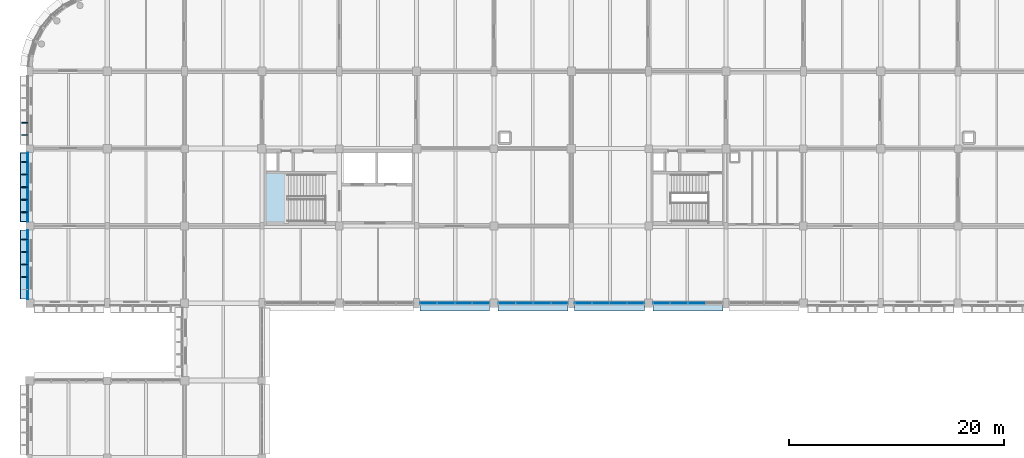
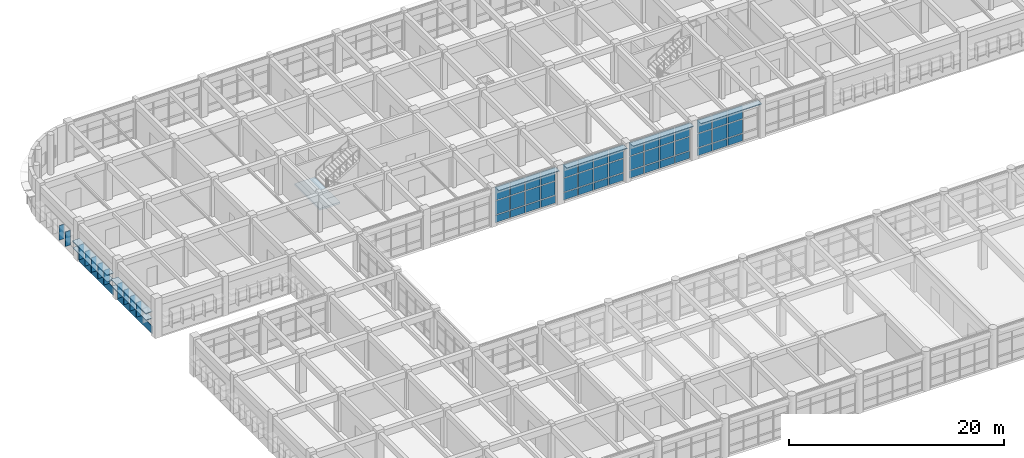
# One storey, part 132 of 171: 66 plates, 1 slab, 5 elements without a shape of their own.
"""IFC4 building model written with IfcOpenShell, lengths in metres."""

from ifc_helpers import new_model, si_unit, direction, frame, origin, origin_2d, place, context, subcontext, project, spatial, polyline, rectangle, outline, extrude, material, layer, layer_set, type_object, element, aggregate, save


model = new_model("IFC4")

# Units and contexts
model_context = context("Model", 3, precision=1e-05, world=origin(), true_north=direction((0.0, 1.0)))
body_context = subcontext(model_context, "Body", "Model", "MODEL_VIEW")
ifc_project = project(units=[si_unit("LENGTHUNIT", "METRE"), si_unit("AREAUNIT", "SQUARE_METRE"), si_unit("VOLUMEUNIT", "CUBIC_METRE"), si_unit("PLANEANGLEUNIT", "RADIAN"), si_unit("MASSUNIT", "GRAM", prefix="KILO")], contexts=[model_context])

# Site, building, storey
site_placement = place(None, origin())
site = spatial("IfcSite", under=ifc_project, at=site_placement, CompositionType="ELEMENT")
building_placement = place(site_placement, origin())
building = spatial("IfcBuilding", under=site, at=building_placement, Name="Thalmaran Polytechnic", CompositionType="ELEMENT")
storey_placement = place(building_placement, frame((0.0, 0.0, 5.39990234375)))
storey = spatial("IfcBuildingStorey", under=building, at=storey_placement, Name="L01", CompositionType="ELEMENT", Elevation=5.39990234375)

# Plates
ifc_material_1 = material(Name="Anodised aluminium spandrel band", Category="aluminium")
ifc_layer_1 = layer(ifc_material_1, 0.054931640625, Name="Anodised aluminium spandrel band")
ifc_layer_set_1 = layer_set([ifc_layer_1], Name="Anodised aluminium spandrel band")
plate_type_1 = type_object("IfcPlateType", Name="PT-BD01", PredefinedType="SHEET", material=ifc_layer_set_1)
plate_1_placement = place(storey_placement, frame((-0.195068359375, 97.20751953125, 0.020263671875), z_axis=(0.0, 0.0, 1.0), x_axis=(0.0, 1.0, 0.0)))
element("IfcPlate", 1, at=plate_1_placement, inside=storey, type_object=plate_type_1, Name="Streamline Horizontal Spandrel Band L01-018", PredefinedType="SHEET", context=body_context, shape_type="SweptSolid", body=[
    extrude(rectangle(XDim=6.425048828125, YDim=0.054931640625, at=origin_2d()), origin(), (0.0, 0.0, 1.0), 0.8798828125),
])
plate_2_placement = place(storey_placement, frame((-0.195068359375, 104.405029296875, 0.020263671875), z_axis=(0.0, 0.0, 1.0), x_axis=(0.0, 1.0, 0.0)))
element("IfcPlate", 2, at=plate_2_placement, inside=storey, type_object=plate_type_1, Name="Streamline Horizontal Spandrel Band L01-019", PredefinedType="SHEET", context=body_context, shape_type="SweptSolid", body=[
    extrude(rectangle(XDim=6.449951171875, YDim=0.054931640625, at=origin_2d()), origin(), (0.0, 0.0, 1.0), 0.8798828125),
])
ifc_material_2 = material(Name="Anodised aluminium sun-hood eyebrow", Category="aluminium")
ifc_layer_2 = layer(ifc_material_2, 0.0849609375, Name="Anodised aluminium sun-hood eyebrow")
ifc_layer_set_2 = layer_set([ifc_layer_2], Name="Anodised aluminium sun-hood eyebrow")
plate_type_2 = type_object("IfcPlateType", Name="PT-EB01", PredefinedType="SHEET", material=ifc_layer_set_2)
plate_3_placement = place(storey_placement, frame((-0.5400390625, 97.20751953125, 2.517578125), z_axis=(0.0, 0.0, 1.0), x_axis=(0.0, 1.0, 0.0)))
element("IfcPlate", 3, at=plate_3_placement, inside=storey, type_object=plate_type_2, Name="Streamline Sun-Hood Eyebrow L01-018", PredefinedType="SHEET", context=body_context, shape_type="SweptSolid", body=[
    extrude(rectangle(XDim=6.425048828125, YDim=0.760009765625, at=origin_2d()), origin(), (0.0, 0.0, 1.0), 0.0849609375),
])
plate_4_placement = place(storey_placement, frame((-0.52001953125, 97.20751953125, 1.74267578125), z_axis=(0.0, 0.0, 1.0), x_axis=(0.0, 1.0, 0.0)))
element("IfcPlate", 4, at=plate_4_placement, inside=storey, type_object=plate_type_2, Name="Abu Dhabi Horizontal Solar Louvre L01-018", PredefinedType="SHEET", context=body_context, shape_type="SweptSolid", body=[
    extrude(rectangle(XDim=6.385009765625, YDim=0.719970703125, at=origin_2d()), origin(), (0.0, 0.0, 1.0), 0.074951171875),
])
plate_5_placement = place(storey_placement, frame((-0.5400390625, 104.405029296875, 2.517578125), z_axis=(0.0, 0.0, 1.0), x_axis=(0.0, 1.0, 0.0)))
element("IfcPlate", 5, at=plate_5_placement, inside=storey, type_object=plate_type_2, Name="Streamline Sun-Hood Eyebrow L01-019", PredefinedType="SHEET", context=body_context, shape_type="SweptSolid", body=[
    extrude(rectangle(XDim=6.449951171875, YDim=0.760009765625, at=origin_2d()), origin(), (0.0, 0.0, 1.0), 0.0849609375),
])
plate_6_placement = place(storey_placement, frame((-0.52001953125, 104.405029296875, 1.74267578125), z_axis=(0.0, 0.0, 1.0), x_axis=(0.0, 1.0, 0.0)))
element("IfcPlate", 6, at=plate_6_placement, inside=storey, type_object=plate_type_2, Name="Abu Dhabi Horizontal Solar Louvre L01-019", PredefinedType="SHEET", context=body_context, shape_type="SweptSolid", body=[
    extrude(rectangle(XDim=6.409912109375, YDim=0.719970703125, at=origin_2d()), origin(), (0.0, 0.0, 1.0), 0.074951171875),
])
for number, where, z_axis, x_axis, name in (
    (7, (61.25, 93.239990234375, 4.107666015625), (0.0, 0.0, 1.0), (-1.0, 0.0, 0.0), "Streamline Sun-Hood Eyebrow L01-CW130"),
    (8, (53.949951171875, 93.239990234375, 4.107666015625), (0.0, 0.0, 1.0), (-1.0, 0.0, 0.0), "Streamline Sun-Hood Eyebrow L01-CW131"),
    (9, (46.85009765625, 93.239990234375, 4.107666015625), (0.0, 0.0, 1.0), (-1.0, 0.0, 0.0), "Streamline Sun-Hood Eyebrow L01-CW132"),
    (10, (39.550048828125, 93.239990234375, 4.107666015625), (0.0, 0.0, 1.0), (-1.0, 0.0, 0.0), "Streamline Sun-Hood Eyebrow L01-CW133"),
):
    element("IfcPlate", number, at=place(storey_placement, frame(where, z_axis=z_axis, x_axis=x_axis)), inside=storey, type_object=plate_type_2, Name=name, PredefinedType="SHEET", context=body_context, shape_type="SweptSolid", body=[
        extrude(rectangle(XDim=6.510009765625, YDim=0.760009765625, at=origin_2d()), origin(), (0.0, 0.0, 1.0), 0.0849609375),
    ])
ifc_material_3 = material(Name="Anodised bronze brise-soleil fin")
ifc_layer_3 = layer(ifc_material_3, 0.06494140625, Name="Anodised bronze brise-soleil fin")
ifc_layer_set_3 = layer_set([ifc_layer_3], Name="Anodised bronze brise-soleil fin")
plate_type_3 = type_object("IfcPlateType", Name="PT-FN01", PredefinedType="SHEET", material=ifc_layer_set_3)
for number, where, z_axis, x_axis, name in (
    (11, (-0.4599609375, 96.043701171875, 0.895263671875), (0.0, 0.0, 1.0), (0.0, 1.0, 0.0), "Abu Dhabi Solar Brise-Soleil Fin L01-018-2"),
    (12, (-0.4599609375, 97.20751953125, 0.895263671875), (0.0, 0.0, 1.0), (0.0, 1.0, 0.0), "Abu Dhabi Solar Brise-Soleil Fin L01-018-3"),
    (13, (-0.4599609375, 98.37109375, 0.895263671875), (0.0, 0.0, 1.0), (0.0, 1.0, 0.0), "Abu Dhabi Solar Brise-Soleil Fin L01-018-4"),
    (14, (-0.4599609375, 99.534912109375, 0.895263671875), (0.0, 0.0, 1.0), (0.0, 1.0, 0.0), "Abu Dhabi Solar Brise-Soleil Fin L01-018-5"),
    (15, (-0.4599609375, 102.068603515625, 0.895263671875), (0.0, 0.0, 1.0), (0.0, 1.0, 0.0), "Abu Dhabi Solar Brise-Soleil Fin L01-019-1"),
    (16, (-0.4599609375, 103.23681640625, 0.895263671875), (0.0, 0.0, 1.0), (0.0, 1.0, 0.0), "Abu Dhabi Solar Brise-Soleil Fin L01-019-2"),
    (17, (-0.4599609375, 104.405029296875, 0.895263671875), (0.0, 0.0, 1.0), (0.0, 1.0, 0.0), "Abu Dhabi Solar Brise-Soleil Fin L01-019-3"),
    (18, (-0.4599609375, 105.5732421875, 0.895263671875), (0.0, 0.0, 1.0), (0.0, 1.0, 0.0), "Abu Dhabi Solar Brise-Soleil Fin L01-019-4"),
    (19, (-0.4599609375, 106.741455078125, 0.895263671875), (0.0, 0.0, 1.0), (0.0, 1.0, 0.0), "Abu Dhabi Solar Brise-Soleil Fin L01-019-5"),
    (20, (-0.4599609375, 109.24951171875, 0.895263671875), (0.0, 0.0, 1.0), (0.0, 1.0, 0.0), "Abu Dhabi Solar Brise-Soleil Fin L01-020-1"),
    (21, (-0.4599609375, 110.406005859375, 0.895263671875), (0.0, 0.0, 1.0), (0.0, 1.0, 0.0), "Abu Dhabi Solar Brise-Soleil Fin L01-020-2"),
):
    element("IfcPlate", number, at=place(storey_placement, frame(where, z_axis=z_axis, x_axis=x_axis)), inside=storey, type_object=plate_type_3, Name=name, PredefinedType="SHEET", context=body_context, shape_type="SweptSolid", body=[
        extrude(rectangle(XDim=0.06494140625, YDim=0.56005859375, at=origin_2d()), origin(), (0.0, 0.0, 1.0), 1.64990234375),
    ])

# Curtain wall, plates
ifc_material_4 = material(Name="Aluminium 6063-T6", Category="aluminium")
curtain_wall_type = type_object("IfcCurtainWallType", Name="CW-UC02", PredefinedType="USERDEFINED", material=ifc_material_4)
curtain_wall_1_placement = place(storey_placement, origin())
curtain_wall_1 = element("IfcCurtainWall", 22, at=curtain_wall_1_placement, inside=storey, type_object=curtain_wall_type, Name="Curtain Wall CW-L01-130", ObjectType="UNITISED CURTAIN WALL", PredefinedType="USERDEFINED")
ifc_material_5 = material(Name="Solar-control double low-E glass", Category="glass")
ifc_layer_4 = layer(ifc_material_5, 0.035888671875, Name="Solar-control double low-E glass")
ifc_layer_set_4 = layer_set([ifc_layer_4], Name="Solar-control double low-E glass")
plate_type_4 = type_object("IfcPlateType", Name="PT-GL01", PredefinedType="CURTAIN_PANEL", material=ifc_layer_set_4)
plate_7_placement = place(storey_placement, frame((62.06884765625, 93.60009765625, 1.000244140625), z_axis=(0.0, 0.0, 1.0), x_axis=(-1.0, 0.0, 0.0)))
plate_7 = element("IfcPlate", 23, at=plate_7_placement, type_object=plate_type_4, Name="CW-L01-130 Vision Panel 2-2", PredefinedType="CURTAIN_PANEL", context=body_context, shape_type="SweptSolid", body=[
    extrude(rectangle(XDim=1.53759765625, YDim=0.035888671875, at=origin_2d()), origin(), (0.0, 0.0, 1.0), 1.544921875),
])
plate_8_placement = place(storey_placement, frame((62.06884765625, 93.60009765625, 2.625), z_axis=(0.0, 0.0, 1.0), x_axis=(-1.0, 0.0, 0.0)))
plate_8 = element("IfcPlate", 24, at=plate_8_placement, type_object=plate_type_4, Name="CW-L01-130 Vision Panel 2-3", PredefinedType="CURTAIN_PANEL", context=body_context, shape_type="SweptSolid", body=[
    extrude(rectangle(XDim=1.53759765625, YDim=0.035888671875, at=origin_2d()), origin(), (0.0, 0.0, 1.0), 1.485107421875),
])
plate_9_placement = place(storey_placement, frame((60.43115234375, 93.60009765625, 1.000244140625), z_axis=(0.0, 0.0, 1.0), x_axis=(-1.0, 0.0, 0.0)))
plate_9 = element("IfcPlate", 25, at=plate_9_placement, type_object=plate_type_4, Name="CW-L01-130 Vision Panel 3-2", PredefinedType="CURTAIN_PANEL", context=body_context, shape_type="SweptSolid", body=[
    extrude(rectangle(XDim=1.53759765625, YDim=0.035888671875, at=origin_2d()), origin(), (0.0, 0.0, 1.0), 1.544921875),
])
plate_10_placement = place(storey_placement, frame((60.43115234375, 93.60009765625, 2.625), z_axis=(0.0, 0.0, 1.0), x_axis=(-1.0, 0.0, 0.0)))
plate_10 = element("IfcPlate", 26, at=plate_10_placement, type_object=plate_type_4, Name="CW-L01-130 Vision Panel 3-3", PredefinedType="CURTAIN_PANEL", context=body_context, shape_type="SweptSolid", body=[
    extrude(rectangle(XDim=1.53759765625, YDim=0.035888671875, at=origin_2d()), origin(), (0.0, 0.0, 1.0), 1.485107421875),
])
plate_11_placement = place(storey_placement, frame((58.793701171875, 93.60009765625, 1.000244140625), z_axis=(0.0, 0.0, 1.0), x_axis=(-1.0, 0.0, 0.0)))
plate_11 = element("IfcPlate", 27, at=plate_11_placement, type_object=plate_type_4, Name="CW-L01-130 Vision Panel 4-2", PredefinedType="CURTAIN_PANEL", context=body_context, shape_type="SweptSolid", body=[
    extrude(rectangle(XDim=1.53759765625, YDim=0.035888671875, at=origin_2d()), origin(), (0.0, 0.0, 1.0), 1.544921875),
])
plate_12_placement = place(storey_placement, frame((58.793701171875, 93.60009765625, 2.625), z_axis=(0.0, 0.0, 1.0), x_axis=(-1.0, 0.0, 0.0)))
plate_12 = element("IfcPlate", 28, at=plate_12_placement, type_object=plate_type_4, Name="CW-L01-130 Vision Panel 4-3", PredefinedType="CURTAIN_PANEL", context=body_context, shape_type="SweptSolid", body=[
    extrude(rectangle(XDim=1.53759765625, YDim=0.035888671875, at=origin_2d()), origin(), (0.0, 0.0, 1.0), 1.485107421875),
])

curtain_wall_2_placement = place(storey_placement, origin())
curtain_wall_2 = element("IfcCurtainWall", 29, at=curtain_wall_2_placement, inside=storey, type_object=curtain_wall_type, Name="Curtain Wall CW-L01-131", ObjectType="UNITISED CURTAIN WALL", PredefinedType="USERDEFINED")
ifc_layer_5 = layer(ifc_material_5, 0.035888671875, Name="Solar-control double low-E glass")
ifc_layer_set_5 = layer_set([ifc_layer_5], Name="Solar-control double low-E glass")
plate_type_5 = type_object("IfcPlateType", Name="PT-GL02", PredefinedType="CURTAIN_PANEL", material=ifc_layer_set_5)
plate_13_placement = place(storey_placement, frame((56.40625, 93.60009765625, 1.000244140625), z_axis=(0.0, 0.0, 1.0), x_axis=(-1.0, 0.0, 0.0)))
plate_13 = element("IfcPlate", 30, at=plate_13_placement, type_object=plate_type_5, Name="CW-L01-131 Vision Panel 1-2", PredefinedType="CURTAIN_PANEL", context=body_context, shape_type="SweptSolid", body=[
    extrude(rectangle(XDim=1.53759765625, YDim=0.035888671875, at=origin_2d()), origin(), (0.0, 0.0, 1.0), 1.544921875),
])
plate_14_placement = place(storey_placement, frame((56.40625, 93.60009765625, 2.625), z_axis=(0.0, 0.0, 1.0), x_axis=(-1.0, 0.0, 0.0)))
plate_14 = element("IfcPlate", 31, at=plate_14_placement, type_object=plate_type_5, Name="CW-L01-131 Vision Panel 1-3", PredefinedType="CURTAIN_PANEL", context=body_context, shape_type="SweptSolid", body=[
    extrude(rectangle(XDim=1.53759765625, YDim=0.035888671875, at=origin_2d()), origin(), (0.0, 0.0, 1.0), 1.485107421875),
])
plate_15_placement = place(storey_placement, frame((54.768798828125, 93.60009765625, 1.000244140625), z_axis=(0.0, 0.0, 1.0), x_axis=(-1.0, 0.0, 0.0)))
plate_15 = element("IfcPlate", 32, at=plate_15_placement, type_object=plate_type_5, Name="CW-L01-131 Vision Panel 2-2", PredefinedType="CURTAIN_PANEL", context=body_context, shape_type="SweptSolid", body=[
    extrude(rectangle(XDim=1.53759765625, YDim=0.035888671875, at=origin_2d()), origin(), (0.0, 0.0, 1.0), 1.544921875),
])
plate_16_placement = place(storey_placement, frame((54.768798828125, 93.60009765625, 2.625), z_axis=(0.0, 0.0, 1.0), x_axis=(-1.0, 0.0, 0.0)))
plate_16 = element("IfcPlate", 33, at=plate_16_placement, type_object=plate_type_5, Name="CW-L01-131 Vision Panel 2-3", PredefinedType="CURTAIN_PANEL", context=body_context, shape_type="SweptSolid", body=[
    extrude(rectangle(XDim=1.53759765625, YDim=0.035888671875, at=origin_2d()), origin(), (0.0, 0.0, 1.0), 1.485107421875),
])
plate_17_placement = place(storey_placement, frame((53.13134765625, 93.60009765625, 1.000244140625), z_axis=(0.0, 0.0, 1.0), x_axis=(-1.0, 0.0, 0.0)))
plate_17 = element("IfcPlate", 34, at=plate_17_placement, type_object=plate_type_5, Name="CW-L01-131 Vision Panel 3-2", PredefinedType="CURTAIN_PANEL", context=body_context, shape_type="SweptSolid", body=[
    extrude(rectangle(XDim=1.53759765625, YDim=0.035888671875, at=origin_2d()), origin(), (0.0, 0.0, 1.0), 1.544921875),
])
plate_18_placement = place(storey_placement, frame((53.13134765625, 93.60009765625, 2.625), z_axis=(0.0, 0.0, 1.0), x_axis=(-1.0, 0.0, 0.0)))
plate_18 = element("IfcPlate", 35, at=plate_18_placement, type_object=plate_type_5, Name="CW-L01-131 Vision Panel 3-3", PredefinedType="CURTAIN_PANEL", context=body_context, shape_type="SweptSolid", body=[
    extrude(rectangle(XDim=1.53759765625, YDim=0.035888671875, at=origin_2d()), origin(), (0.0, 0.0, 1.0), 1.485107421875),
])
plate_19_placement = place(storey_placement, frame((51.49365234375, 93.60009765625, 1.000244140625), z_axis=(0.0, 0.0, 1.0), x_axis=(-1.0, 0.0, 0.0)))
plate_19 = element("IfcPlate", 36, at=plate_19_placement, type_object=plate_type_5, Name="CW-L01-131 Vision Panel 4-2", PredefinedType="CURTAIN_PANEL", context=body_context, shape_type="SweptSolid", body=[
    extrude(rectangle(XDim=1.53759765625, YDim=0.035888671875, at=origin_2d()), origin(), (0.0, 0.0, 1.0), 1.544921875),
])
plate_20_placement = place(storey_placement, frame((51.49365234375, 93.60009765625, 2.625), z_axis=(0.0, 0.0, 1.0), x_axis=(-1.0, 0.0, 0.0)))
plate_20 = element("IfcPlate", 37, at=plate_20_placement, type_object=plate_type_5, Name="CW-L01-131 Vision Panel 4-3", PredefinedType="CURTAIN_PANEL", context=body_context, shape_type="SweptSolid", body=[
    extrude(rectangle(XDim=1.53759765625, YDim=0.035888671875, at=origin_2d()), origin(), (0.0, 0.0, 1.0), 1.485107421875),
])

curtain_wall_3_placement = place(storey_placement, origin())
curtain_wall_3 = element("IfcCurtainWall", 38, at=curtain_wall_3_placement, inside=storey, type_object=curtain_wall_type, Name="Curtain Wall CW-L01-132", ObjectType="UNITISED CURTAIN WALL", PredefinedType="USERDEFINED")
ifc_layer_6 = layer(ifc_material_5, 0.035888671875, Name="Solar-control double low-E glass")
ifc_layer_set_6 = layer_set([ifc_layer_6], Name="Solar-control double low-E glass")
plate_type_6 = type_object("IfcPlateType", Name="PT-GL03", PredefinedType="CURTAIN_PANEL", material=ifc_layer_set_6)
plate_21_placement = place(storey_placement, frame((49.30615234375, 93.60009765625, 1.000244140625), z_axis=(0.0, 0.0, 1.0), x_axis=(-1.0, 0.0, 0.0)))
plate_21 = element("IfcPlate", 39, at=plate_21_placement, type_object=plate_type_6, Name="CW-L01-132 Vision Panel 1-2", PredefinedType="CURTAIN_PANEL", context=body_context, shape_type="SweptSolid", body=[
    extrude(rectangle(XDim=1.53759765625, YDim=0.035888671875, at=origin_2d()), origin(), (0.0, 0.0, 1.0), 1.544921875),
])
plate_22_placement = place(storey_placement, frame((49.30615234375, 93.60009765625, 2.625), z_axis=(0.0, 0.0, 1.0), x_axis=(-1.0, 0.0, 0.0)))
plate_22 = element("IfcPlate", 40, at=plate_22_placement, type_object=plate_type_6, Name="CW-L01-132 Vision Panel 1-3", PredefinedType="CURTAIN_PANEL", context=body_context, shape_type="SweptSolid", body=[
    extrude(rectangle(XDim=1.53759765625, YDim=0.035888671875, at=origin_2d()), origin(), (0.0, 0.0, 1.0), 1.485107421875),
])
plate_23_placement = place(storey_placement, frame((47.668701171875, 93.60009765625, 1.000244140625), z_axis=(0.0, 0.0, 1.0), x_axis=(-1.0, 0.0, 0.0)))
plate_23 = element("IfcPlate", 41, at=plate_23_placement, type_object=plate_type_6, Name="CW-L01-132 Vision Panel 2-2", PredefinedType="CURTAIN_PANEL", context=body_context, shape_type="SweptSolid", body=[
    extrude(rectangle(XDim=1.53759765625, YDim=0.035888671875, at=origin_2d()), origin(), (0.0, 0.0, 1.0), 1.544921875),
])
plate_24_placement = place(storey_placement, frame((47.668701171875, 93.60009765625, 2.625), z_axis=(0.0, 0.0, 1.0), x_axis=(-1.0, 0.0, 0.0)))
plate_24 = element("IfcPlate", 42, at=plate_24_placement, type_object=plate_type_6, Name="CW-L01-132 Vision Panel 2-3", PredefinedType="CURTAIN_PANEL", context=body_context, shape_type="SweptSolid", body=[
    extrude(rectangle(XDim=1.53759765625, YDim=0.035888671875, at=origin_2d()), origin(), (0.0, 0.0, 1.0), 1.485107421875),
])
plate_25_placement = place(storey_placement, frame((46.03125, 93.60009765625, 1.000244140625), z_axis=(0.0, 0.0, 1.0), x_axis=(-1.0, 0.0, 0.0)))
plate_25 = element("IfcPlate", 43, at=plate_25_placement, type_object=plate_type_6, Name="CW-L01-132 Vision Panel 3-2", PredefinedType="CURTAIN_PANEL", context=body_context, shape_type="SweptSolid", body=[
    extrude(rectangle(XDim=1.53759765625, YDim=0.035888671875, at=origin_2d()), origin(), (0.0, 0.0, 1.0), 1.544921875),
])
plate_26_placement = place(storey_placement, frame((46.03125, 93.60009765625, 2.625), z_axis=(0.0, 0.0, 1.0), x_axis=(-1.0, 0.0, 0.0)))
plate_26 = element("IfcPlate", 44, at=plate_26_placement, type_object=plate_type_6, Name="CW-L01-132 Vision Panel 3-3", PredefinedType="CURTAIN_PANEL", context=body_context, shape_type="SweptSolid", body=[
    extrude(rectangle(XDim=1.53759765625, YDim=0.035888671875, at=origin_2d()), origin(), (0.0, 0.0, 1.0), 1.485107421875),
])
plate_27_placement = place(storey_placement, frame((44.393798828125, 93.60009765625, 1.000244140625), z_axis=(0.0, 0.0, 1.0), x_axis=(-1.0, 0.0, 0.0)))
plate_27 = element("IfcPlate", 45, at=plate_27_placement, type_object=plate_type_6, Name="CW-L01-132 Vision Panel 4-2", PredefinedType="CURTAIN_PANEL", context=body_context, shape_type="SweptSolid", body=[
    extrude(rectangle(XDim=1.53759765625, YDim=0.035888671875, at=origin_2d()), origin(), (0.0, 0.0, 1.0), 1.544921875),
])
plate_28_placement = place(storey_placement, frame((44.393798828125, 93.60009765625, 2.625), z_axis=(0.0, 0.0, 1.0), x_axis=(-1.0, 0.0, 0.0)))
plate_28 = element("IfcPlate", 46, at=plate_28_placement, type_object=plate_type_6, Name="CW-L01-132 Vision Panel 4-3", PredefinedType="CURTAIN_PANEL", context=body_context, shape_type="SweptSolid", body=[
    extrude(rectangle(XDim=1.53759765625, YDim=0.035888671875, at=origin_2d()), origin(), (0.0, 0.0, 1.0), 1.485107421875),
])

curtain_wall_4_placement = place(storey_placement, origin())
curtain_wall_4 = element("IfcCurtainWall", 47, at=curtain_wall_4_placement, inside=storey, type_object=curtain_wall_type, Name="Curtain Wall CW-L01-133", ObjectType="UNITISED CURTAIN WALL", PredefinedType="USERDEFINED")
ifc_layer_7 = layer(ifc_material_5, 0.035888671875, Name="Solar-control double low-E glass")
ifc_layer_set_7 = layer_set([ifc_layer_7], Name="Solar-control double low-E glass")
plate_type_7 = type_object("IfcPlateType", Name="PT-GL04", PredefinedType="CURTAIN_PANEL", material=ifc_layer_set_7)
plate_29_placement = place(storey_placement, frame((42.00634765625, 93.60009765625, 1.000244140625), z_axis=(0.0, 0.0, 1.0), x_axis=(-1.0, 0.0, 0.0)))
plate_29 = element("IfcPlate", 48, at=plate_29_placement, type_object=plate_type_7, Name="CW-L01-133 Vision Panel 1-2", PredefinedType="CURTAIN_PANEL", context=body_context, shape_type="SweptSolid", body=[
    extrude(rectangle(XDim=1.53759765625, YDim=0.035888671875, at=origin_2d()), origin(), (0.0, 0.0, 1.0), 1.544921875),
])
plate_30_placement = place(storey_placement, frame((42.00634765625, 93.60009765625, 2.625), z_axis=(0.0, 0.0, 1.0), x_axis=(-1.0, 0.0, 0.0)))
plate_30 = element("IfcPlate", 49, at=plate_30_placement, type_object=plate_type_7, Name="CW-L01-133 Vision Panel 1-3", PredefinedType="CURTAIN_PANEL", context=body_context, shape_type="SweptSolid", body=[
    extrude(rectangle(XDim=1.53759765625, YDim=0.035888671875, at=origin_2d()), origin(), (0.0, 0.0, 1.0), 1.485107421875),
])
plate_31_placement = place(storey_placement, frame((40.36865234375, 93.60009765625, 1.000244140625), z_axis=(0.0, 0.0, 1.0), x_axis=(-1.0, 0.0, 0.0)))
plate_31 = element("IfcPlate", 50, at=plate_31_placement, type_object=plate_type_7, Name="CW-L01-133 Vision Panel 2-2", PredefinedType="CURTAIN_PANEL", context=body_context, shape_type="SweptSolid", body=[
    extrude(rectangle(XDim=1.53759765625, YDim=0.035888671875, at=origin_2d()), origin(), (0.0, 0.0, 1.0), 1.544921875),
])
plate_32_placement = place(storey_placement, frame((40.36865234375, 93.60009765625, 2.625), z_axis=(0.0, 0.0, 1.0), x_axis=(-1.0, 0.0, 0.0)))
plate_32 = element("IfcPlate", 51, at=plate_32_placement, type_object=plate_type_7, Name="CW-L01-133 Vision Panel 2-3", PredefinedType="CURTAIN_PANEL", context=body_context, shape_type="SweptSolid", body=[
    extrude(rectangle(XDim=1.53759765625, YDim=0.035888671875, at=origin_2d()), origin(), (0.0, 0.0, 1.0), 1.485107421875),
])
plate_33_placement = place(storey_placement, frame((38.731201171875, 93.60009765625, 1.000244140625), z_axis=(0.0, 0.0, 1.0), x_axis=(-1.0, 0.0, 0.0)))
plate_33 = element("IfcPlate", 52, at=plate_33_placement, type_object=plate_type_7, Name="CW-L01-133 Vision Panel 3-2", PredefinedType="CURTAIN_PANEL", context=body_context, shape_type="SweptSolid", body=[
    extrude(rectangle(XDim=1.53759765625, YDim=0.035888671875, at=origin_2d()), origin(), (0.0, 0.0, 1.0), 1.544921875),
])
plate_34_placement = place(storey_placement, frame((38.731201171875, 93.60009765625, 2.625), z_axis=(0.0, 0.0, 1.0), x_axis=(-1.0, 0.0, 0.0)))
plate_34 = element("IfcPlate", 53, at=plate_34_placement, type_object=plate_type_7, Name="CW-L01-133 Vision Panel 3-3", PredefinedType="CURTAIN_PANEL", context=body_context, shape_type="SweptSolid", body=[
    extrude(rectangle(XDim=1.53759765625, YDim=0.035888671875, at=origin_2d()), origin(), (0.0, 0.0, 1.0), 1.485107421875),
])
plate_35_placement = place(storey_placement, frame((37.09375, 93.60009765625, 1.000244140625), z_axis=(0.0, 0.0, 1.0), x_axis=(-1.0, 0.0, 0.0)))
plate_35 = element("IfcPlate", 54, at=plate_35_placement, type_object=plate_type_7, Name="CW-L01-133 Vision Panel 4-2", PredefinedType="CURTAIN_PANEL", context=body_context, shape_type="SweptSolid", body=[
    extrude(rectangle(XDim=1.53759765625, YDim=0.035888671875, at=origin_2d()), origin(), (0.0, 0.0, 1.0), 1.544921875),
])
plate_36_placement = place(storey_placement, frame((37.09375, 93.60009765625, 2.625), z_axis=(0.0, 0.0, 1.0), x_axis=(-1.0, 0.0, 0.0)))
plate_36 = element("IfcPlate", 55, at=plate_36_placement, type_object=plate_type_7, Name="CW-L01-133 Vision Panel 4-3", PredefinedType="CURTAIN_PANEL", context=body_context, shape_type="SweptSolid", body=[
    extrude(rectangle(XDim=1.53759765625, YDim=0.035888671875, at=origin_2d()), origin(), (0.0, 0.0, 1.0), 1.485107421875),
])

# Plate
ifc_material_6 = material(Name="Insulated anodised aluminium spandrel", Category="aluminium")
ifc_layer_8 = layer(ifc_material_6, 0.06005859375, Name="Insulated anodised aluminium spandrel")
ifc_layer_set_8 = layer_set([ifc_layer_8], Name="Insulated anodised aluminium spandrel")
plate_type_8 = type_object("IfcPlateType", Name="PT-SP01", PredefinedType="CURTAIN_PANEL", material=ifc_layer_set_8)
plate_37_placement = place(storey_placement, frame((49.30615234375, 93.60009765625, 0.10009765625), z_axis=(0.0, 0.0, 1.0), x_axis=(-1.0, 0.0, 0.0)))
plate_37 = element("IfcPlate", 56, at=plate_37_placement, type_object=plate_type_8, Name="CW-L01-132 Spandrel Panel 1-1", PredefinedType="CURTAIN_PANEL", context=body_context, shape_type="SweptSolid", body=[
    extrude(rectangle(XDim=1.53759765625, YDim=0.06005859375, at=origin_2d()), origin(), (0.0, 0.0, 1.0), 0.820068359375),
])

plate_38_placement = place(storey_placement, frame((47.668701171875, 93.60009765625, 0.10009765625), z_axis=(0.0, 0.0, 1.0), x_axis=(-1.0, 0.0, 0.0)))
plate_38 = element("IfcPlate", 57, at=plate_38_placement, type_object=plate_type_8, Name="CW-L01-132 Spandrel Panel 2-1", PredefinedType="CURTAIN_PANEL", context=body_context, shape_type="SweptSolid", body=[
    extrude(rectangle(XDim=1.53759765625, YDim=0.06005859375, at=origin_2d()), origin(), (0.0, 0.0, 1.0), 0.820068359375),
])

plate_39_placement = place(storey_placement, frame((46.03125, 93.60009765625, 0.10009765625), z_axis=(0.0, 0.0, 1.0), x_axis=(-1.0, 0.0, 0.0)))
plate_39 = element("IfcPlate", 58, at=plate_39_placement, type_object=plate_type_8, Name="CW-L01-132 Spandrel Panel 3-1", PredefinedType="CURTAIN_PANEL", context=body_context, shape_type="SweptSolid", body=[
    extrude(rectangle(XDim=1.53759765625, YDim=0.06005859375, at=origin_2d()), origin(), (0.0, 0.0, 1.0), 0.820068359375),
])

plate_40_placement = place(storey_placement, frame((44.393798828125, 93.60009765625, 0.10009765625), z_axis=(0.0, 0.0, 1.0), x_axis=(-1.0, 0.0, 0.0)))
plate_40 = element("IfcPlate", 59, at=plate_40_placement, type_object=plate_type_8, Name="CW-L01-132 Spandrel Panel 4-1", PredefinedType="CURTAIN_PANEL", context=body_context, shape_type="SweptSolid", body=[
    extrude(rectangle(XDim=1.53759765625, YDim=0.06005859375, at=origin_2d()), origin(), (0.0, 0.0, 1.0), 0.820068359375),
])

aggregate(curtain_wall_3, [plate_37, plate_21, plate_22, plate_38, plate_23, plate_24, plate_39, plate_25, plate_26, plate_40, plate_27, plate_28])

ifc_layer_9 = layer(ifc_material_6, 0.06005859375, Name="Insulated anodised aluminium spandrel")
ifc_layer_set_9 = layer_set([ifc_layer_9], Name="Insulated anodised aluminium spandrel")
plate_type_9 = type_object("IfcPlateType", Name="PT-SP02", PredefinedType="CURTAIN_PANEL", material=ifc_layer_set_9)
plate_41_placement = place(storey_placement, frame((62.06884765625, 93.60009765625, 0.10009765625), z_axis=(0.0, 0.0, 1.0), x_axis=(-1.0, 0.0, 0.0)))
plate_41 = element("IfcPlate", 60, at=plate_41_placement, type_object=plate_type_9, Name="CW-L01-130 Spandrel Panel 2-1", PredefinedType="CURTAIN_PANEL", context=body_context, shape_type="SweptSolid", body=[
    extrude(rectangle(XDim=1.53759765625, YDim=0.06005859375, at=origin_2d()), origin(), (0.0, 0.0, 1.0), 0.820068359375),
])

plate_42_placement = place(storey_placement, frame((60.43115234375, 93.60009765625, 0.10009765625), z_axis=(0.0, 0.0, 1.0), x_axis=(-1.0, 0.0, 0.0)))
plate_42 = element("IfcPlate", 61, at=plate_42_placement, type_object=plate_type_9, Name="CW-L01-130 Spandrel Panel 3-1", PredefinedType="CURTAIN_PANEL", context=body_context, shape_type="SweptSolid", body=[
    extrude(rectangle(XDim=1.53759765625, YDim=0.06005859375, at=origin_2d()), origin(), (0.0, 0.0, 1.0), 0.820068359375),
])

plate_43_placement = place(storey_placement, frame((58.793701171875, 93.60009765625, 0.10009765625), z_axis=(0.0, 0.0, 1.0), x_axis=(-1.0, 0.0, 0.0)))
plate_43 = element("IfcPlate", 62, at=plate_43_placement, type_object=plate_type_9, Name="CW-L01-130 Spandrel Panel 4-1", PredefinedType="CURTAIN_PANEL", context=body_context, shape_type="SweptSolid", body=[
    extrude(rectangle(XDim=1.53759765625, YDim=0.06005859375, at=origin_2d()), origin(), (0.0, 0.0, 1.0), 0.820068359375),
])

aggregate(curtain_wall_1, [plate_41, plate_7, plate_8, plate_42, plate_9, plate_10, plate_43, plate_11, plate_12])

plate_44_placement = place(storey_placement, frame((42.00634765625, 93.60009765625, 0.10009765625), z_axis=(0.0, 0.0, 1.0), x_axis=(-1.0, 0.0, 0.0)))
plate_44 = element("IfcPlate", 63, at=plate_44_placement, type_object=plate_type_9, Name="CW-L01-133 Spandrel Panel 1-1", PredefinedType="CURTAIN_PANEL", context=body_context, shape_type="SweptSolid", body=[
    extrude(rectangle(XDim=1.53759765625, YDim=0.06005859375, at=origin_2d()), origin(), (0.0, 0.0, 1.0), 0.820068359375),
])

plate_45_placement = place(storey_placement, frame((40.36865234375, 93.60009765625, 0.10009765625), z_axis=(0.0, 0.0, 1.0), x_axis=(-1.0, 0.0, 0.0)))
plate_45 = element("IfcPlate", 64, at=plate_45_placement, type_object=plate_type_9, Name="CW-L01-133 Spandrel Panel 2-1", PredefinedType="CURTAIN_PANEL", context=body_context, shape_type="SweptSolid", body=[
    extrude(rectangle(XDim=1.53759765625, YDim=0.06005859375, at=origin_2d()), origin(), (0.0, 0.0, 1.0), 0.820068359375),
])

plate_46_placement = place(storey_placement, frame((38.731201171875, 93.60009765625, 0.10009765625), z_axis=(0.0, 0.0, 1.0), x_axis=(-1.0, 0.0, 0.0)))
plate_46 = element("IfcPlate", 65, at=plate_46_placement, type_object=plate_type_9, Name="CW-L01-133 Spandrel Panel 3-1", PredefinedType="CURTAIN_PANEL", context=body_context, shape_type="SweptSolid", body=[
    extrude(rectangle(XDim=1.53759765625, YDim=0.06005859375, at=origin_2d()), origin(), (0.0, 0.0, 1.0), 0.820068359375),
])

plate_47_placement = place(storey_placement, frame((37.09375, 93.60009765625, 0.10009765625), z_axis=(0.0, 0.0, 1.0), x_axis=(-1.0, 0.0, 0.0)))
plate_47 = element("IfcPlate", 66, at=plate_47_placement, type_object=plate_type_9, Name="CW-L01-133 Spandrel Panel 4-1", PredefinedType="CURTAIN_PANEL", context=body_context, shape_type="SweptSolid", body=[
    extrude(rectangle(XDim=1.53759765625, YDim=0.06005859375, at=origin_2d()), origin(), (0.0, 0.0, 1.0), 0.820068359375),
])

aggregate(curtain_wall_4, [plate_44, plate_29, plate_30, plate_45, plate_31, plate_32, plate_46, plate_33, plate_34, plate_47, plate_35, plate_36])

ifc_layer_10 = layer(ifc_material_6, 0.06005859375, Name="Insulated anodised aluminium spandrel")
ifc_layer_set_10 = layer_set([ifc_layer_10], Name="Insulated anodised aluminium spandrel")
plate_type_10 = type_object("IfcPlateType", Name="PT-SP03", PredefinedType="CURTAIN_PANEL", material=ifc_layer_set_10)
plate_48_placement = place(storey_placement, frame((56.40625, 93.60009765625, 0.10009765625), z_axis=(0.0, 0.0, 1.0), x_axis=(-1.0, 0.0, 0.0)))
plate_48 = element("IfcPlate", 67, at=plate_48_placement, type_object=plate_type_10, Name="CW-L01-131 Spandrel Panel 1-1", PredefinedType="CURTAIN_PANEL", context=body_context, shape_type="SweptSolid", body=[
    extrude(rectangle(XDim=1.53759765625, YDim=0.06005859375, at=origin_2d()), origin(), (0.0, 0.0, 1.0), 0.820068359375),
])

plate_49_placement = place(storey_placement, frame((54.768798828125, 93.60009765625, 0.10009765625), z_axis=(0.0, 0.0, 1.0), x_axis=(-1.0, 0.0, 0.0)))
plate_49 = element("IfcPlate", 68, at=plate_49_placement, type_object=plate_type_10, Name="CW-L01-131 Spandrel Panel 2-1", PredefinedType="CURTAIN_PANEL", context=body_context, shape_type="SweptSolid", body=[
    extrude(rectangle(XDim=1.53759765625, YDim=0.06005859375, at=origin_2d()), origin(), (0.0, 0.0, 1.0), 0.820068359375),
])

plate_50_placement = place(storey_placement, frame((53.13134765625, 93.60009765625, 0.10009765625), z_axis=(0.0, 0.0, 1.0), x_axis=(-1.0, 0.0, 0.0)))
plate_50 = element("IfcPlate", 69, at=plate_50_placement, type_object=plate_type_10, Name="CW-L01-131 Spandrel Panel 3-1", PredefinedType="CURTAIN_PANEL", context=body_context, shape_type="SweptSolid", body=[
    extrude(rectangle(XDim=1.53759765625, YDim=0.06005859375, at=origin_2d()), origin(), (0.0, 0.0, 1.0), 0.820068359375),
])

plate_51_placement = place(storey_placement, frame((51.49365234375, 93.60009765625, 0.10009765625), z_axis=(0.0, 0.0, 1.0), x_axis=(-1.0, 0.0, 0.0)))
plate_51 = element("IfcPlate", 70, at=plate_51_placement, type_object=plate_type_10, Name="CW-L01-131 Spandrel Panel 4-1", PredefinedType="CURTAIN_PANEL", context=body_context, shape_type="SweptSolid", body=[
    extrude(rectangle(XDim=1.53759765625, YDim=0.06005859375, at=origin_2d()), origin(), (0.0, 0.0, 1.0), 0.820068359375),
])

aggregate(curtain_wall_2, [plate_48, plate_13, plate_14, plate_49, plate_15, plate_16, plate_50, plate_17, plate_18, plate_51, plate_19, plate_20])

# Stair, slab
ifc_material_7 = material(Name="Concrete C40/50", Category="concrete")
stair_type = type_object("IfcStairType", Name="ST-HT45", PredefinedType="HALF_TURN_STAIR", material=ifc_material_7)
stair_placement = place(storey_placement, origin())
stair = element("IfcStair", 71, at=stair_placement, inside=storey, type_object=stair_type, Name="Exit Stair ST2 L01", PredefinedType="HALF_TURN_STAIR")
ifc_layer_11 = layer(ifc_material_7, 0.2099609375, Name="Concrete C40/50")
ifc_layer_set_11 = layer_set([ifc_layer_11], Name="Concrete C40/50")
slab_type = type_object("IfcSlabType", Name="SL-LD01", PredefinedType="LANDING", material=ifc_layer_set_11)
slab_placement = place(storey_placement, frame((0.0, 0.0, 2.0400390625)))
slab = element("IfcSlab", 72, at=slab_placement, type_object=slab_type, Name="ST2 L01 Half Landing", PredefinedType="LANDING", context=body_context, shape_type="SweptSolid", body=[
    extrude(outline(polyline([(21.840087890625, 101.0400390625), (24.0, 101.0400390625), (24.0, 105.739990234375), (21.840087890625, 105.739990234375), (21.840087890625, 101.0400390625)])), origin(), (0.0, 0.0, 1.0), 0.2099609375),
])
aggregate(stair, [slab])

save(model, "model.ifc")
